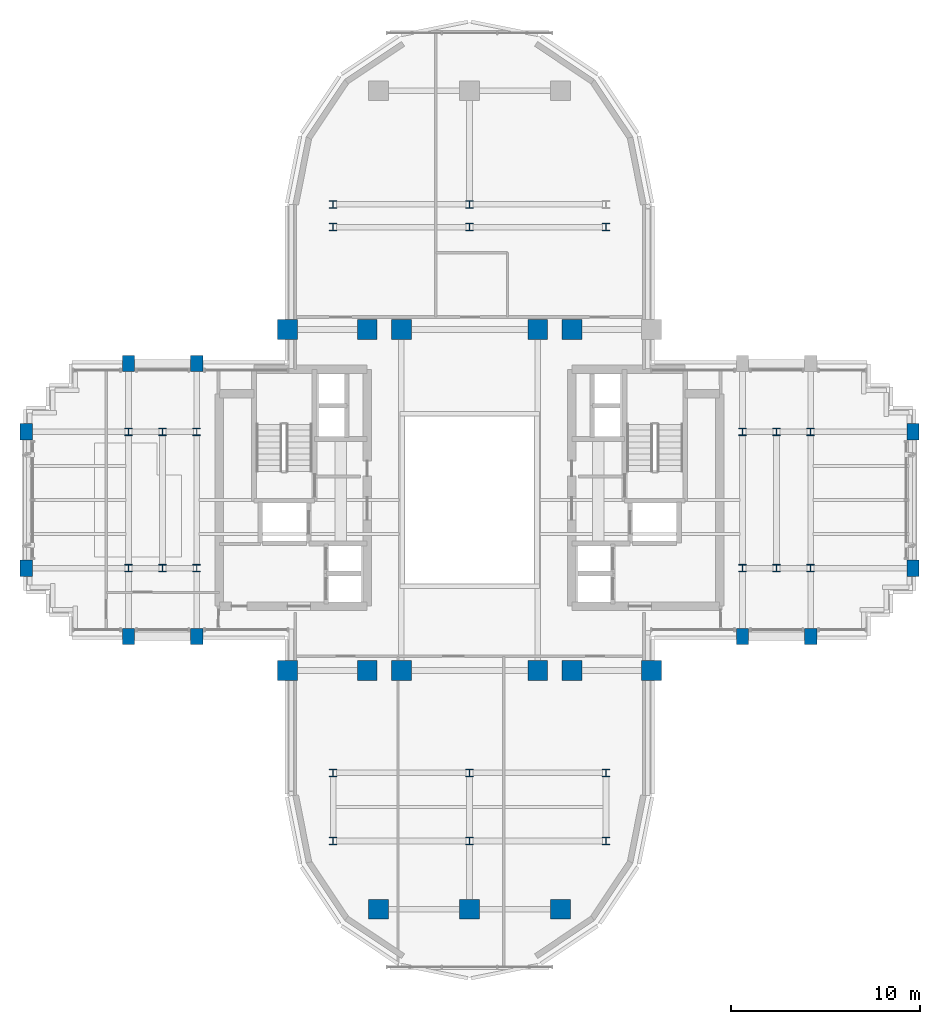
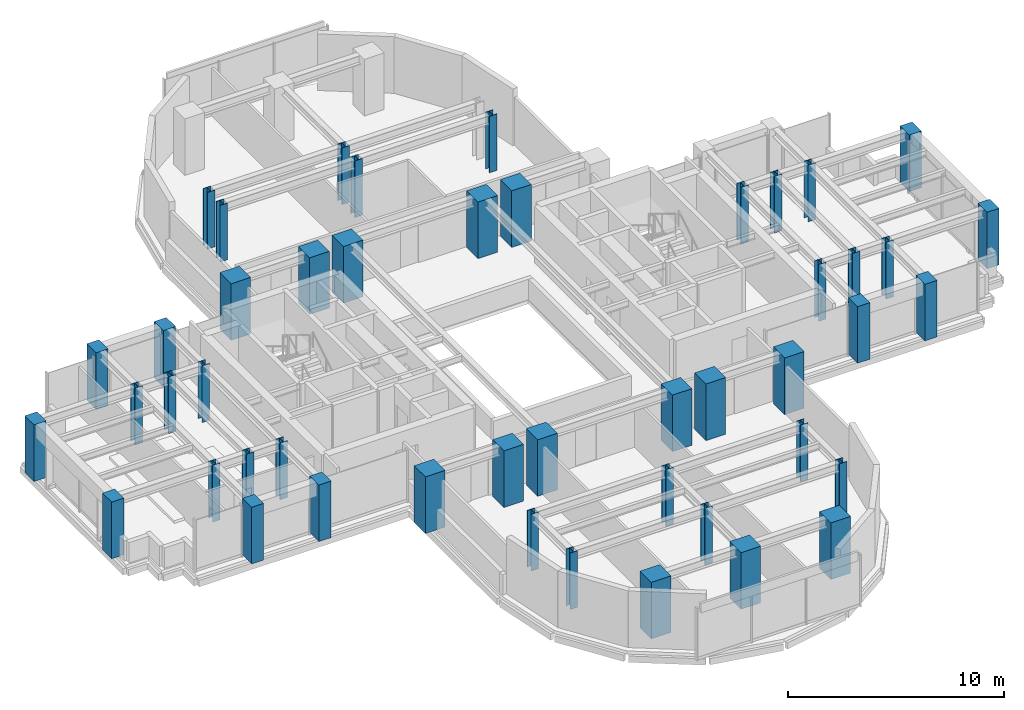
# One storey, part 1 of 13: 47 columns.
"""IFC4 building model written with IfcOpenShell, lengths in metres."""

from ifc_helpers import new_model, si_unit, direction, frame, origin, origin_2d, place, context, subcontext, project, spatial, rectangle, i_section, extrude, source, transform, mapped, material, material_profile, profile_set, type_object, element, save


model = new_model("IFC4")

# Units and contexts
model_context = context("Model", 3, precision=1e-05, world=origin(), true_north=direction((0.0, 1.0)))
body_context = subcontext(model_context, "Body", "Model", "MODEL_VIEW")
ifc_project = project(units=[si_unit("LENGTHUNIT", "METRE"), si_unit("AREAUNIT", "SQUARE_METRE"), si_unit("VOLUMEUNIT", "CUBIC_METRE"), si_unit("PLANEANGLEUNIT", "RADIAN"), si_unit("MASSUNIT", "GRAM", prefix="KILO")], contexts=[model_context])

# Site, building, storey
site_placement = place(None, origin())
site = spatial("IfcSite", under=ifc_project, at=site_placement, CompositionType="ELEMENT")
building_placement = place(site_placement, origin())
building = spatial("IfcBuilding", under=site, at=building_placement, Name="Keilestroom Media Tower", CompositionType="ELEMENT")
storey_placement = place(building_placement, frame((0.0, 0.0, 141.39990234375)))
storey = spatial("IfcBuildingStorey", under=building, at=storey_placement, Name="L38", CompositionType="ELEMENT", Elevation=141.39990234375)

# Columns
ifc_material_1 = material(Name="Precast concrete C40/50", Category="concrete")
ifc_material_profile_1 = material_profile(ifc_material_1, rectangle(XDim=0.64990234375, YDim=0.85009765625, at=origin_2d()), Name="PC 850x650")
ifc_profile_set_1 = profile_set([ifc_material_profile_1], Name="Precast concrete C40/50")
column_type_1 = type_object("IfcColumnType", Name="Structural-Column-PC-850x650", PredefinedType="COLUMN", material=ifc_profile_set_1)
shared_shape_1 = source(origin(), body_context, "Body", "SweptSolid", [
    extrude(rectangle(XDim=0.64990234375, YDim=0.85009765625, at=origin_2d()), origin(), (0.0, 0.0, 1.0), 3.2001953125),
])
for number, where, z_axis, x_axis, name in (
    (1, (-23.39990234375, -3.60009765625, 0.0), (0.0, 0.0, 1.0), (1.0, 0.0, 0.0), "L38 Column PC-2 (-23.4,-3.6)"),
    (2, (-23.39990234375, 3.60009765625, 0.0), (0.0, 0.0, 1.0), (1.0, 0.0, 0.0), "L38 Column PC-2 (-23.4,+3.6)"),
    (3, (-18.0, -7.199951171875, 0.0), (0.0, 0.0, 1.0), (1.0, 0.0, 0.0), "L38 Column PC-2 (-18.0,-7.2)"),
    (4, (-18.0, 7.199951171875, 0.0), (0.0, 0.0, 1.0), (1.0, 0.0, 0.0), "L38 Column PC-2 (-18.0,+7.2)"),
    (5, (-14.39990234375, -7.199951171875, 0.0), (0.0, 0.0, 1.0), (1.0, 0.0, 0.0), "L38 Column PC-2 (-14.4,-7.2)"),
    (6, (-14.39990234375, 7.199951171875, 0.0), (0.0, 0.0, 1.0), (1.0, 0.0, 0.0), "L38 Column PC-2 (-14.4,+7.2)"),
    (7, (14.39990234375, -7.199951171875, 0.0), (0.0, 0.0, 1.0), (1.0, 0.0, 0.0), "L38 Column PC-2 (+14.4,-7.2)"),
    (8, (18.0, -7.199951171875, 0.0), (0.0, 0.0, 1.0), (1.0, 0.0, 0.0), "L38 Column PC-2 (+18.0,-7.2)"),
    (9, (23.39990234375, -3.60009765625, 0.0), (0.0, 0.0, 1.0), (1.0, 0.0, 0.0), "L38 Column PC-2 (+23.4,-3.6)"),
    (10, (23.39990234375, 3.60009765625, 0.0), (0.0, 0.0, 1.0), (1.0, 0.0, 0.0), "L38 Column PC-2 (+23.4,+3.6)"),
):
    element("IfcColumn", number, at=place(storey_placement, frame(where, z_axis=z_axis, x_axis=x_axis)), inside=storey, type_object=column_type_1, Name=name, PredefinedType="COLUMN", context=body_context, shape_type="MappedRepresentation", body=[
        mapped(shared_shape_1, transform((0.0, 0.0, 0.0), x_axis=(1.0, 0.0, 0.0), y_axis=(0.0, 1.0, 0.0), z_axis=(0.0, 0.0, 1.0), scale=1.0)),
    ])
ifc_material_2 = material(Name="Steel S355", Category="steel")
ifc_material_profile_2 = material_profile(ifc_material_2, i_section(OverallWidth=0.40087890625, OverallDepth=0.39892578125, WebThickness=0.02001953125, FlangeThickness=0.031982421875, at=origin_2d()), Name="HD 400x314")
ifc_profile_set_2 = profile_set([ifc_material_profile_2], Name="Steel S355")
column_type_2 = type_object("IfcColumnType", Name="Structural-Column-HD-400x314", PredefinedType="COLUMN", material=ifc_profile_set_2)
shared_shape_2 = source(origin(), body_context, "Body", "SweptSolid", [
    extrude(i_section(OverallWidth=0.40087890625, OverallDepth=0.39892578125, WebThickness=0.02001953125, FlangeThickness=0.031982421875, at=origin_2d()), origin(), (0.0, 0.0, 1.0), 3.2001953125),
])
for number, where, z_axis, x_axis, name in (
    (11, (-18.0, -3.60009765625, 0.0), (0.0, 0.0, 1.0), (1.0, 0.0, 0.0), "L38 Column SC-3 (-18.0,-3.6)"),
    (12, (-18.0, 3.60009765625, 0.0), (0.0, 0.0, 1.0), (1.0, 0.0, 0.0), "L38 Column SC-3 (-18.0,+3.6)"),
    (13, (-16.199951171875, -3.60009765625, 0.0), (0.0, 0.0, 1.0), (1.0, 0.0, 0.0), "L38 Column SC-3 (-16.2,-3.6)"),
    (14, (-16.199951171875, 3.60009765625, 0.0), (0.0, 0.0, 1.0), (1.0, 0.0, 0.0), "L38 Column SC-3 (-16.2,+3.6)"),
    (15, (-14.39990234375, -3.60009765625, 0.0), (0.0, 0.0, 1.0), (1.0, 0.0, 0.0), "L38 Column SC-3 (-14.4,-3.6)"),
    (16, (-14.39990234375, 3.60009765625, 0.0), (0.0, 0.0, 1.0), (1.0, 0.0, 0.0), "L38 Column SC-3 (-14.4,+3.6)"),
    (17, (-7.199951171875, -18.0, 0.0), (0.0, 0.0, 1.0), (1.0, 0.0, 0.0), "L38 Column SC-3 (-7.2,-18.0)"),
    (18, (-7.199951171875, -14.39990234375, 0.0), (0.0, 0.0, 1.0), (1.0, 0.0, 0.0), "L38 Column SC-3 (-7.2,-14.4)"),
    (19, (-7.199951171875, 14.39990234375, 0.0), (0.0, 0.0, 1.0), (1.0, 0.0, 0.0), "L38 Column SC-3 (-7.2,+14.4)"),
    (20, (-7.199951171875, 15.60009765625, 0.0), (0.0, 0.0, 1.0), (1.0, 0.0, 0.0), "L38 Column SC-3 (-7.2,+15.6)"),
    (21, (0.0, -18.0, 0.0), (0.0, 0.0, 1.0), (1.0, 0.0, 0.0), "L38 Column SC-3 (+0.0,-18.0)"),
    (22, (0.0, -14.39990234375, 0.0), (0.0, 0.0, 1.0), (1.0, 0.0, 0.0), "L38 Column SC-3 (+0.0,-14.4)"),
    (23, (0.0, 14.39990234375, 0.0), (0.0, 0.0, 1.0), (1.0, 0.0, 0.0), "L38 Column SC-3 (+0.0,+14.4)"),
    (24, (0.0, 15.60009765625, 0.0), (0.0, 0.0, 1.0), (1.0, 0.0, 0.0), "L38 Column SC-3 (+0.0,+15.6)"),
    (25, (7.199951171875, -18.0, 0.0), (0.0, 0.0, 1.0), (1.0, 0.0, 0.0), "L38 Column SC-3 (+7.2,-18.0)"),
    (26, (7.199951171875, -14.39990234375, 0.0), (0.0, 0.0, 1.0), (1.0, 0.0, 0.0), "L38 Column SC-3 (+7.2,-14.4)"),
    (27, (7.199951171875, 14.39990234375, 0.0), (0.0, 0.0, 1.0), (1.0, 0.0, 0.0), "L38 Column SC-3 (+7.2,+14.4)"),
    (28, (14.39990234375, -3.60009765625, 0.0), (0.0, 0.0, 1.0), (1.0, 0.0, 0.0), "L38 Column SC-3 (+14.4,-3.6)"),
    (29, (14.39990234375, 3.60009765625, 0.0), (0.0, 0.0, 1.0), (1.0, 0.0, 0.0), "L38 Column SC-3 (+14.4,+3.6)"),
    (30, (16.199951171875, -3.60009765625, 0.0), (0.0, 0.0, 1.0), (1.0, 0.0, 0.0), "L38 Column SC-3 (+16.2,-3.6)"),
    (31, (16.199951171875, 3.60009765625, 0.0), (0.0, 0.0, 1.0), (1.0, 0.0, 0.0), "L38 Column SC-3 (+16.2,+3.6)"),
    (32, (18.0, -3.60009765625, 0.0), (0.0, 0.0, 1.0), (1.0, 0.0, 0.0), "L38 Column SC-3 (+18.0,-3.6)"),
    (33, (18.0, 3.60009765625, 0.0), (0.0, 0.0, 1.0), (1.0, 0.0, 0.0), "L38 Column SC-3 (+18.0,+3.6)"),
):
    element("IfcColumn", number, at=place(storey_placement, frame(where, z_axis=z_axis, x_axis=x_axis)), inside=storey, type_object=column_type_2, Name=name, PredefinedType="COLUMN", context=body_context, shape_type="MappedRepresentation", body=[
        mapped(shared_shape_2, transform((0.0, 0.0, 0.0), x_axis=(1.0, 0.0, 0.0), y_axis=(0.0, 1.0, 0.0), z_axis=(0.0, 0.0, 1.0), scale=1.0)),
    ])
ifc_material_3 = material(Name="Concrete C55/67", Category="concrete")
ifc_material_profile_3 = material_profile(ifc_material_3, rectangle(XDim=1.050048828125, YDim=1.050048828125, at=origin_2d()), Name="RC 1050x1050")
ifc_profile_set_3 = profile_set([ifc_material_profile_3], Name="Concrete C55/67")
column_type_3 = type_object("IfcColumnType", Name="Structural-Column-RC-1050x1050", PredefinedType="COLUMN", material=ifc_profile_set_3)
shared_shape_3 = source(origin(), body_context, "Body", "SweptSolid", [
    extrude(rectangle(XDim=1.050048828125, YDim=1.050048828125, at=origin_2d()), origin(), (0.0, 0.0, 1.0), 3.2001953125),
])
for number, where, z_axis, x_axis, name in (
    (34, (-9.60009765625, -9.0, 0.0), (0.0, 0.0, 1.0), (1.0, 0.0, 0.0), "L38 Column MC-3 (-9.6,-9.0)"),
    (35, (-9.60009765625, 9.0, 0.0), (0.0, 0.0, 1.0), (1.0, 0.0, 0.0), "L38 Column MC-3 (-9.6,+9.0)"),
    (36, (-5.39990234375, -9.0, 0.0), (0.0, 0.0, 1.0), (1.0, 0.0, 0.0), "L38 Column MC-3 (-5.4,-9.0)"),
    (37, (-5.39990234375, 9.0, 0.0), (0.0, 0.0, 1.0), (1.0, 0.0, 0.0), "L38 Column MC-3 (-5.4,+9.0)"),
    (38, (-4.800048828125, -21.60009765625, 0.0), (0.0, 0.0, 1.0), (1.0, 0.0, 0.0), "L38 Column MC-3 (-4.8,-21.6)"),
    (39, (-3.60009765625, -9.0, 0.0), (0.0, 0.0, 1.0), (1.0, 0.0, 0.0), "L38 Column MC-3 (-3.6,-9.0)"),
    (40, (-3.60009765625, 9.0, 0.0), (0.0, 0.0, 1.0), (1.0, 0.0, 0.0), "L38 Column MC-3 (-3.6,+9.0)"),
    (41, (0.0, -21.60009765625, 0.0), (0.0, 0.0, 1.0), (1.0, 0.0, 0.0), "L38 Column MC-3 (+0.0,-21.6)"),
    (42, (3.60009765625, -9.0, 0.0), (0.0, 0.0, 1.0), (1.0, 0.0, 0.0), "L38 Column MC-3 (+3.6,-9.0)"),
    (43, (3.60009765625, 9.0, 0.0), (0.0, 0.0, 1.0), (1.0, 0.0, 0.0), "L38 Column MC-3 (+3.6,+9.0)"),
    (44, (4.800048828125, -21.60009765625, 0.0), (0.0, 0.0, 1.0), (1.0, 0.0, 0.0), "L38 Column MC-3 (+4.8,-21.6)"),
    (45, (5.39990234375, -9.0, 0.0), (0.0, 0.0, 1.0), (1.0, 0.0, 0.0), "L38 Column MC-3 (+5.4,-9.0)"),
    (46, (5.39990234375, 9.0, 0.0), (0.0, 0.0, 1.0), (1.0, 0.0, 0.0), "L38 Column MC-3 (+5.4,+9.0)"),
    (47, (9.60009765625, -9.0, 0.0), (0.0, 0.0, 1.0), (1.0, 0.0, 0.0), "L38 Column MC-3 (+9.6,-9.0)"),
):
    element("IfcColumn", number, at=place(storey_placement, frame(where, z_axis=z_axis, x_axis=x_axis)), inside=storey, type_object=column_type_3, Name=name, PredefinedType="COLUMN", context=body_context, shape_type="MappedRepresentation", body=[
        mapped(shared_shape_3, transform((0.0, 0.0, 0.0), x_axis=(1.0, 0.0, 0.0), y_axis=(0.0, 1.0, 0.0), z_axis=(0.0, 0.0, 1.0), scale=1.0)),
    ])

save(model, "model.ifc")
